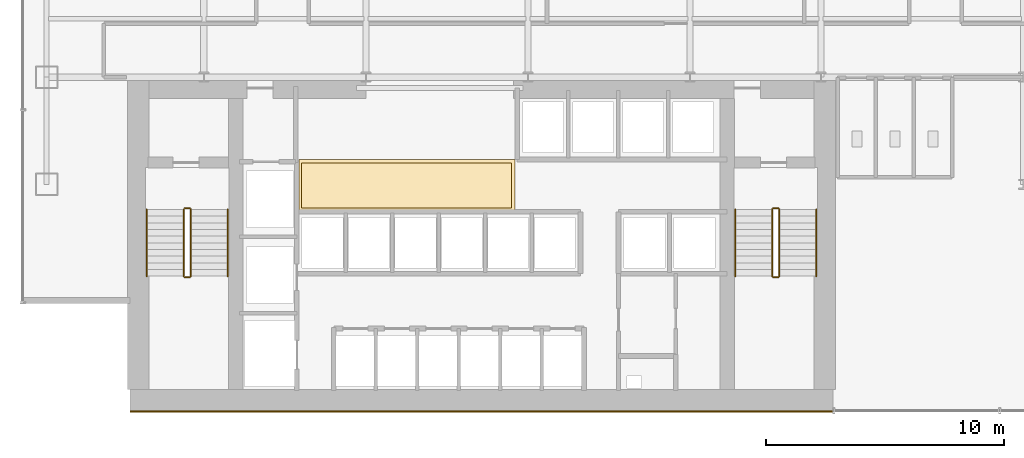
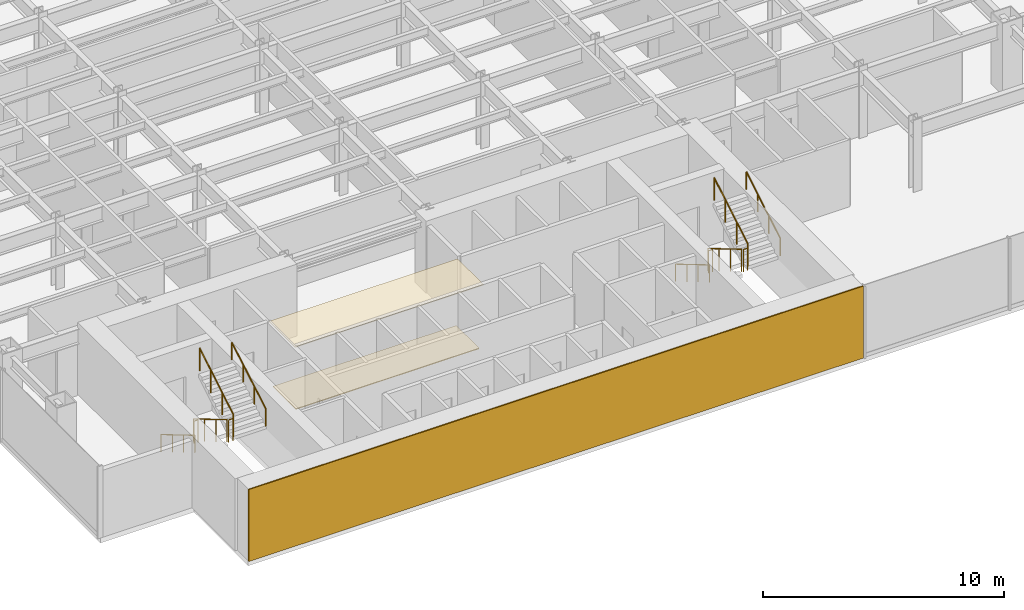
# One storey, part 20 of 22: 12 railings, 3 coverings.
"""IFC4 building model written with IfcOpenShell, lengths in metres."""

from ifc_helpers import new_model, si_unit, derived_unit, direction, frame, origin, origin_2d, place, context, subcontext, project, spatial, polyline, rectangle, circle, outline, extrude, source, transform, mapped, material, layer, layer_set, type_object, element, save


model = new_model("IFC4")

# Units and contexts
model_context = context("Model", 3, precision=1e-05, world=origin(), true_north=direction((0.0, 1.0)))
body_context = subcontext(model_context, "Body", "Model", "MODEL_VIEW")
ifc_project = project(units=[si_unit("LENGTHUNIT", "METRE"), si_unit("AREAUNIT", "SQUARE_METRE"), si_unit("VOLUMEUNIT", "CUBIC_METRE"), si_unit("PLANEANGLEUNIT", "RADIAN"), si_unit("MASSUNIT", "GRAM", prefix="KILO"), derived_unit("THERMALTRANSMITTANCEUNIT", [(si_unit("POWERUNIT", "WATT"), 1), (si_unit("LENGTHUNIT", "METRE"), -2), (si_unit("THERMODYNAMICTEMPERATUREUNIT", "KELVIN"), -1)])], contexts=[model_context])

# Site, building, storey
site_placement = place(None, origin())
site = spatial("IfcSite", under=ifc_project, at=site_placement, CompositionType="ELEMENT")
building_placement = place(site_placement, origin())
building = spatial("IfcBuilding", under=site, at=building_placement, Name="Skarnbrae Concourse Arena and Tower", CompositionType="ELEMENT")
storey_placement = place(building_placement, frame((0.0, 0.0, 36.14990234375)))
storey = spatial("IfcBuildingStorey", under=building, at=storey_placement, Name="L07", CompositionType="ELEMENT", Elevation=36.14990234375)

# Coverings
ifc_material_1 = material(Name="Mineral fibre acoustic ceiling tile", Category="other")
ifc_layer_1 = layer(ifc_material_1, 0.0400390625)
ifc_layer_set_1 = layer_set([ifc_layer_1], Name="Mineral fibre acoustic ceiling tile")
covering_type_1 = type_object("IfcCoveringType", Name="COV-CEIL-ACOUSTIC", PredefinedType="CEILING", material=ifc_layer_set_1)
covering_1_placement = place(storey_placement, frame((0.0, 0.0, 3.239990234375)))
element("IfcCovering", 1, at=covering_1_placement, inside=storey, type_object=covering_type_1, Name="L07 Lift lobby acoustic ceiling", PredefinedType="CEILING", context=body_context, shape_type="SweptSolid", body=[
    extrude(outline(polyline([(11.60009765625, 8.39990234375), (20.64990234375, 8.39990234375), (20.64990234375, 10.550048828125), (11.60009765625, 10.550048828125), (11.60009765625, 8.39990234375)])), origin(), (0.0, 0.0, 1.0), 0.0400390625),
])
ifc_material_2 = material(Name="Polished granite terrazzo flooring", Category="masonry")
ifc_layer_2 = layer(ifc_material_2, 0.0400390625)
ifc_layer_set_2 = layer_set([ifc_layer_2], Name="Polished granite terrazzo flooring")
covering_type_2 = type_object("IfcCoveringType", Name="COV-FLOOR-TERRAZZO", PredefinedType="FLOORING", material=ifc_layer_set_2)
covering_2_placement = place(storey_placement, origin())
element("IfcCovering", 2, at=covering_2_placement, inside=storey, type_object=covering_type_2, Name="L07 Lift lobby terrazzo flooring", PredefinedType="FLOORING", context=body_context, shape_type="SweptSolid", body=[
    extrude(outline(polyline([(11.699951171875, 8.5), (20.5, 8.5), (20.5, 10.39990234375), (11.699951171875, 10.39990234375), (11.699951171875, 8.5)])), origin(), (0.0, 0.0, 1.0), 0.0400390625),
])

# Railings
ifc_material_3 = material(Name="Steel CSA G40.21 350W", Category="steel")
railing_type_1 = type_object("IfcRailingType", Name="RAIL-HANDRAIL-900", PredefinedType="HANDRAIL", material=ifc_material_3)
railing_1_placement = place(storey_placement, frame((5.199951171875, 8.449951171875, 0.166015625)))
element("IfcRailing", 3, at=railing_1_placement, inside=storey, type_object=railing_type_1, Name="L07 ST-1 stair handrail 1", PredefinedType="HANDRAIL", context=body_context, shape_type="SweptSolid", body=[
    extrude(circle(Radius=0.02392578125, at=origin_2d()), frame((0.0, 0.0, 0.8759765625), z_axis=(0.0, -0.860306154799, 0.50977771628), x_axis=(1.0, 0.0, 0.0)), (0.0, 0.0, 1.0), 3.254638671875),
    extrude(circle(Radius=0.02099609375, at=origin_2d()), origin(), (0.0, 0.0, 1.0), 0.851806640625),
    extrude(circle(Radius=0.02099609375, at=origin_2d()), frame((0.0, -0.933349609375, 0.552978515625)), (0.0, 0.0, 1.0), 0.851806640625),
    extrude(circle(Radius=0.02099609375, at=origin_2d()), frame((0.0, -1.86669921875, 1.106201171875)), (0.0, 0.0, 1.0), 0.851806640625),
    extrude(circle(Radius=0.02099609375, at=origin_2d()), frame((0.0, -2.800048828125, 1.6591796875)), (0.0, 0.0, 1.0), 0.851806640625),
])
railing_2_placement = place(storey_placement, frame((8.60009765625, 5.64990234375, 1.990966796875)))
element("IfcRailing", 4, at=railing_2_placement, inside=storey, type_object=railing_type_1, Name="L07 ST-1 stair handrail 2", PredefinedType="HANDRAIL", context=body_context, shape_type="SweptSolid", body=[
    extrude(circle(Radius=0.02392578125, at=origin_2d()), frame((0.0, 0.0, 0.8759765625), z_axis=(0.0, 0.860306154799, 0.50977771628), x_axis=(-1.0, 0.0, 0.0)), (0.0, 0.0, 1.0), 3.254638671875),
    extrude(circle(Radius=0.02099609375, at=origin_2d()), origin(), (0.0, 0.0, 1.0), 0.851806640625),
    extrude(circle(Radius=0.02099609375, at=origin_2d()), frame((0.0, 0.933349609375, 0.552978515625)), (0.0, 0.0, 1.0), 0.851806640625),
    extrude(circle(Radius=0.02099609375, at=origin_2d()), frame((0.0, 1.86669921875, 1.106201171875)), (0.0, 0.0, 1.0), 0.851806640625),
    extrude(circle(Radius=0.02099609375, at=origin_2d()), frame((0.0, 2.800048828125, 1.6591796875)), (0.0, 0.0, 1.0), 0.851806640625),
])
railing_3_placement = place(storey_placement, frame((29.89990234375, 8.449951171875, 0.166015625)))
element("IfcRailing", 5, at=railing_3_placement, inside=storey, type_object=railing_type_1, Name="L07 ST-2 stair handrail 1", PredefinedType="HANDRAIL", context=body_context, shape_type="SweptSolid", body=[
    extrude(circle(Radius=0.02392578125, at=origin_2d()), frame((0.0, 0.0, 0.8759765625), z_axis=(0.0, -0.860306154799, 0.50977771628), x_axis=(1.0, 0.0, 0.0)), (0.0, 0.0, 1.0), 3.254638671875),
    extrude(circle(Radius=0.02099609375, at=origin_2d()), origin(), (0.0, 0.0, 1.0), 0.851806640625),
    extrude(circle(Radius=0.02099609375, at=origin_2d()), frame((0.0, -0.933349609375, 0.552978515625)), (0.0, 0.0, 1.0), 0.851806640625),
    extrude(circle(Radius=0.02099609375, at=origin_2d()), frame((0.0, -1.86669921875, 1.106201171875)), (0.0, 0.0, 1.0), 0.851806640625),
    extrude(circle(Radius=0.02099609375, at=origin_2d()), frame((0.0, -2.800048828125, 1.6591796875)), (0.0, 0.0, 1.0), 0.851806640625),
])
railing_4_placement = place(storey_placement, frame((33.300048828125, 5.64990234375, 1.990966796875)))
element("IfcRailing", 6, at=railing_4_placement, inside=storey, type_object=railing_type_1, Name="L07 ST-2 stair handrail 2", PredefinedType="HANDRAIL", context=body_context, shape_type="SweptSolid", body=[
    extrude(circle(Radius=0.02392578125, at=origin_2d()), frame((0.0, 0.0, 0.8759765625), z_axis=(0.0, 0.860306154799, 0.50977771628), x_axis=(-1.0, 0.0, 0.0)), (0.0, 0.0, 1.0), 3.254638671875),
    extrude(circle(Radius=0.02099609375, at=origin_2d()), origin(), (0.0, 0.0, 1.0), 0.851806640625),
    extrude(circle(Radius=0.02099609375, at=origin_2d()), frame((0.0, 0.933349609375, 0.552978515625)), (0.0, 0.0, 1.0), 0.851806640625),
    extrude(circle(Radius=0.02099609375, at=origin_2d()), frame((0.0, 1.86669921875, 1.106201171875)), (0.0, 0.0, 1.0), 0.851806640625),
    extrude(circle(Radius=0.02099609375, at=origin_2d()), frame((0.0, 2.800048828125, 1.6591796875)), (0.0, 0.0, 1.0), 0.851806640625),
])
railing_type_2 = type_object("IfcRailingType", Name="RAIL-STAIR-GUARD-1150", PredefinedType="GUARDRAIL", material=ifc_material_3)
railing_5_placement = place(storey_placement, frame((6.75, 8.449951171875, 0.166015625)))
element("IfcRailing", 7, at=railing_5_placement, inside=storey, type_object=railing_type_2, Name="L07 ST-1 stair guard 1", PredefinedType="GUARDRAIL", context=body_context, shape_type="SweptSolid", body=[
    extrude(circle(Radius=0.02392578125, at=origin_2d()), frame((0.0, 0.0, 1.1259765625), z_axis=(0.0, -0.860306154799, 0.50977771628), x_axis=(1.0, 0.0, 0.0)), (0.0, 0.0, 1.0), 3.254638671875),
    extrude(circle(Radius=0.02099609375, at=origin_2d()), origin(), (0.0, 0.0, 1.0), 1.101806640625),
    extrude(circle(Radius=0.02099609375, at=origin_2d()), frame((0.0, -0.933349609375, 0.552978515625)), (0.0, 0.0, 1.0), 1.101806640625),
    extrude(circle(Radius=0.02099609375, at=origin_2d()), frame((0.0, -1.86669921875, 1.106201171875)), (0.0, 0.0, 1.0), 1.101806640625),
    extrude(circle(Radius=0.02099609375, at=origin_2d()), frame((0.0, -2.800048828125, 1.6591796875)), (0.0, 0.0, 1.0), 1.101806640625),
])
railing_6_placement = place(storey_placement, frame((6.800048828125, 5.60009765625, 1.8251953125)))
element("IfcRailing", 8, at=railing_6_placement, inside=storey, type_object=railing_type_2, Name="L07 ST-1 stair guard 2", PredefinedType="GUARDRAIL", context=body_context, shape_type="SweptSolid", body=[
    extrude(circle(Radius=0.02392578125, at=origin_2d()), frame((0.0, 0.0, 1.1259765625), z_axis=(1.0, 0.0, 0.0), x_axis=(0.0, 1.0, 0.0)), (0.0, 0.0, 1.0), 0.199951171875),
    extrude(circle(Radius=0.02099609375, at=origin_2d()), origin(), (0.0, 0.0, 1.0), 1.101806640625),
    extrude(circle(Radius=0.02099609375, at=origin_2d()), frame((0.199951171875, 0.0, 0.0)), (0.0, 0.0, 1.0), 1.101806640625),
])
railing_7_placement = place(storey_placement, frame((7.050048828125, 5.64990234375, 1.990966796875)))
element("IfcRailing", 9, at=railing_7_placement, inside=storey, type_object=railing_type_2, Name="L07 ST-1 stair guard 3", PredefinedType="GUARDRAIL", context=body_context, shape_type="SweptSolid", body=[
    extrude(circle(Radius=0.02392578125, at=origin_2d()), frame((0.0, 0.0, 1.1259765625), z_axis=(0.0, 0.860306154799, 0.50977771628), x_axis=(-1.0, 0.0, 0.0)), (0.0, 0.0, 1.0), 3.254638671875),
    extrude(circle(Radius=0.02099609375, at=origin_2d()), origin(), (0.0, 0.0, 1.0), 1.101806640625),
    extrude(circle(Radius=0.02099609375, at=origin_2d()), frame((0.0, 0.933349609375, 0.552978515625)), (0.0, 0.0, 1.0), 1.101806640625),
    extrude(circle(Radius=0.02099609375, at=origin_2d()), frame((0.0, 1.86669921875, 1.106201171875)), (0.0, 0.0, 1.0), 1.101806640625),
    extrude(circle(Radius=0.02099609375, at=origin_2d()), frame((0.0, 2.800048828125, 1.6591796875)), (0.0, 0.0, 1.0), 1.101806640625),
])
railing_8_placement = place(storey_placement, frame((6.800048828125, 8.5, 0.0)))
element("IfcRailing", 10, at=railing_8_placement, inside=storey, type_object=railing_type_2, Name="L07 ST-1 stair guard 4", PredefinedType="GUARDRAIL", context=body_context, shape_type="SweptSolid", body=[
    extrude(circle(Radius=0.02392578125, at=origin_2d()), frame((0.0, 0.0, 1.1259765625), z_axis=(1.0, 0.0, 0.0), x_axis=(0.0, 1.0, 0.0)), (0.0, 0.0, 1.0), 0.199951171875),
    extrude(circle(Radius=0.02099609375, at=origin_2d()), origin(), (0.0, 0.0, 1.0), 1.101806640625),
    extrude(circle(Radius=0.02099609375, at=origin_2d()), frame((0.199951171875, 0.0, 0.0)), (0.0, 0.0, 1.0), 1.101806640625),
])
railing_9_placement = place(storey_placement, frame((31.449951171875, 8.449951171875, 0.166015625)))
element("IfcRailing", 11, at=railing_9_placement, inside=storey, type_object=railing_type_2, Name="L07 ST-2 stair guard 1", PredefinedType="GUARDRAIL", context=body_context, shape_type="SweptSolid", body=[
    extrude(circle(Radius=0.02392578125, at=origin_2d()), frame((0.0, 0.0, 1.1259765625), z_axis=(0.0, -0.860306154799, 0.50977771628), x_axis=(1.0, 0.0, 0.0)), (0.0, 0.0, 1.0), 3.254638671875),
    extrude(circle(Radius=0.02099609375, at=origin_2d()), origin(), (0.0, 0.0, 1.0), 1.101806640625),
    extrude(circle(Radius=0.02099609375, at=origin_2d()), frame((0.0, -0.933349609375, 0.552978515625)), (0.0, 0.0, 1.0), 1.101806640625),
    extrude(circle(Radius=0.02099609375, at=origin_2d()), frame((0.0, -1.86669921875, 1.106201171875)), (0.0, 0.0, 1.0), 1.101806640625),
    extrude(circle(Radius=0.02099609375, at=origin_2d()), frame((0.0, -2.800048828125, 1.6591796875)), (0.0, 0.0, 1.0), 1.101806640625),
])
railing_10_placement = place(storey_placement, frame((31.5, 5.60009765625, 1.8251953125)))
element("IfcRailing", 12, at=railing_10_placement, inside=storey, type_object=railing_type_2, Name="L07 ST-2 stair guard 2", PredefinedType="GUARDRAIL", context=body_context, shape_type="SweptSolid", body=[
    extrude(circle(Radius=0.02392578125, at=origin_2d()), frame((0.0, 0.0, 1.1259765625), z_axis=(1.0, 0.0, 0.0), x_axis=(0.0, 1.0, 0.0)), (0.0, 0.0, 1.0), 0.199951171875),
    extrude(circle(Radius=0.02099609375, at=origin_2d()), origin(), (0.0, 0.0, 1.0), 1.101806640625),
    extrude(circle(Radius=0.02099609375, at=origin_2d()), frame((0.199951171875, 0.0, 0.0)), (0.0, 0.0, 1.0), 1.101806640625),
])
railing_11_placement = place(storey_placement, frame((31.75, 5.64990234375, 1.990966796875)))
element("IfcRailing", 13, at=railing_11_placement, inside=storey, type_object=railing_type_2, Name="L07 ST-2 stair guard 3", PredefinedType="GUARDRAIL", context=body_context, shape_type="SweptSolid", body=[
    extrude(circle(Radius=0.02392578125, at=origin_2d()), frame((0.0, 0.0, 1.1259765625), z_axis=(0.0, 0.860306154799, 0.50977771628), x_axis=(-1.0, 0.0, 0.0)), (0.0, 0.0, 1.0), 3.254638671875),
    extrude(circle(Radius=0.02099609375, at=origin_2d()), origin(), (0.0, 0.0, 1.0), 1.101806640625),
    extrude(circle(Radius=0.02099609375, at=origin_2d()), frame((0.0, 0.933349609375, 0.552978515625)), (0.0, 0.0, 1.0), 1.101806640625),
    extrude(circle(Radius=0.02099609375, at=origin_2d()), frame((0.0, 1.86669921875, 1.106201171875)), (0.0, 0.0, 1.0), 1.101806640625),
    extrude(circle(Radius=0.02099609375, at=origin_2d()), frame((0.0, 2.800048828125, 1.6591796875)), (0.0, 0.0, 1.0), 1.101806640625),
])
railing_12_placement = place(storey_placement, frame((31.5, 8.5, 0.0)))
element("IfcRailing", 14, at=railing_12_placement, inside=storey, type_object=railing_type_2, Name="L07 ST-2 stair guard 4", PredefinedType="GUARDRAIL", context=body_context, shape_type="SweptSolid", body=[
    extrude(circle(Radius=0.02392578125, at=origin_2d()), frame((0.0, 0.0, 1.1259765625), z_axis=(1.0, 0.0, 0.0), x_axis=(0.0, 1.0, 0.0)), (0.0, 0.0, 1.0), 0.199951171875),
    extrude(circle(Radius=0.02099609375, at=origin_2d()), origin(), (0.0, 0.0, 1.0), 1.101806640625),
    extrude(circle(Radius=0.02099609375, at=origin_2d()), frame((0.199951171875, 0.0, 0.0)), (0.0, 0.0, 1.0), 1.101806640625),
])

# Covering
ifc_material_4 = material(Name="Bronze anodised aluminium 6063-T6", Category="aluminium")
ifc_layer_3 = layer(ifc_material_4, 0.06005859375)
ifc_layer_set_3 = layer_set([ifc_layer_3], Name="Bronze anodised aluminium 6063-T6")
covering_type_3 = type_object("IfcCoveringType", Name="COV-CLAD-BRONZE-60", PredefinedType="CLADDING", material=ifc_layer_set_3)
shared_shape = source(origin(), body_context, "Body", "SweptSolid", [
    extrude(rectangle(XDim=29.5, YDim=0.06005859375, at=origin_2d()), origin(), (0.0, 0.0, 1.0), 3.64990234375),
])
covering_3_placement = place(storey_placement, frame((19.25, -0.030029296875, 0.000244140625), z_axis=(0.0, 0.0, 1.0), x_axis=(1.0, 0.0, 0.0)))
element("IfcCovering", 15, at=covering_3_placement, inside=storey, type_object=covering_type_3, Name="L07 Rear-core plumb spine bronze rainscreen panel", PredefinedType="CLADDING", context=body_context, shape_type="MappedRepresentation", body=[
    mapped(shared_shape, transform((0.0, 0.0, 0.0))),
])

save(model, "model.ifc")
